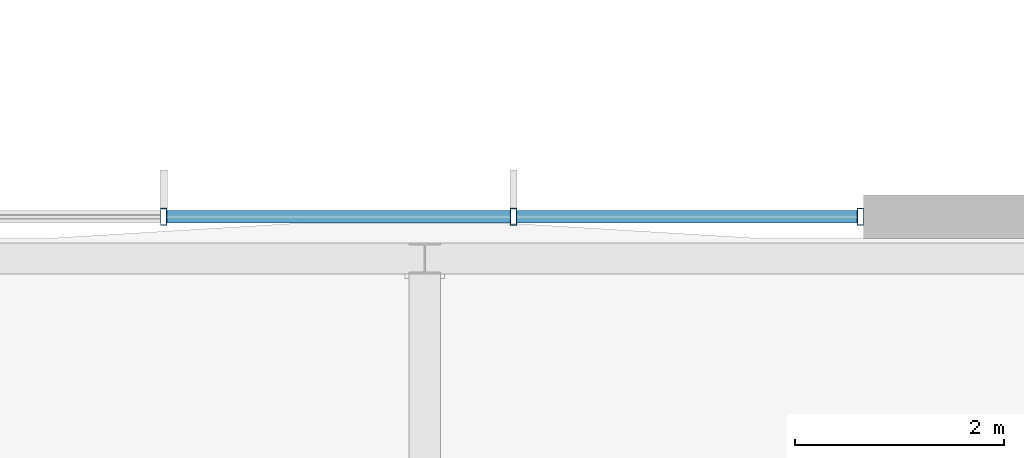
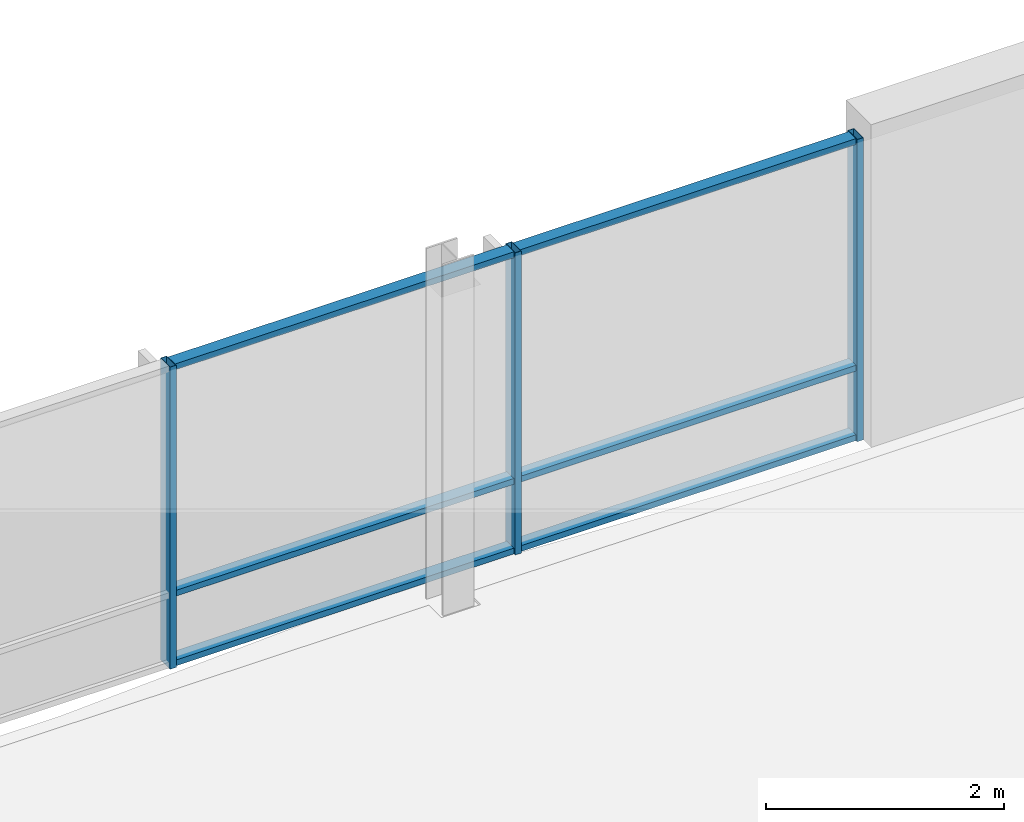
# One storey, part 39 of 189: 9 members, 1 element without a shape of its own.
"""IFC4 building model written with IfcOpenShell, lengths in metres."""

from ifc_helpers import new_model, si_unit, direction, frame, origin, origin_2d, place, context, subcontext, project, spatial, hollow_rectangle, extrude, material, material_profile, profile_set, type_object, element, aggregate, save


model = new_model("IFC4")

# Units and contexts
model_context = context("Model", 3, precision=1e-05, world=origin(), true_north=direction((0.0, 1.0)))
body_context = subcontext(model_context, "Body", "Model", "MODEL_VIEW")
ifc_project = project(units=[si_unit("LENGTHUNIT", "METRE"), si_unit("AREAUNIT", "SQUARE_METRE"), si_unit("VOLUMEUNIT", "CUBIC_METRE"), si_unit("PLANEANGLEUNIT", "RADIAN"), si_unit("MASSUNIT", "GRAM", prefix="KILO")], contexts=[model_context])

# Site, building, storey
site_placement = place(None, origin())
site = spatial("IfcSite", under=ifc_project, at=site_placement, CompositionType="ELEMENT")
building_placement = place(site_placement, origin())
building = spatial("IfcBuilding", under=site, at=building_placement, Name="Zavelmont Quarter", CompositionType="ELEMENT")
storey_placement = place(building_placement, frame((0.0, 0.0, 4.39990234375)))
storey = spatial("IfcBuildingStorey", under=building, at=storey_placement, Name="L01", CompositionType="ELEMENT", Elevation=4.39990234375)

# Curtain wall, members
ifc_material_1 = material(Name="Thermally broken aluminium and double low-E safety glazing", Category="aluminium")
curtain_wall_type = type_object("IfcCurtainWallType", Name="CW-1340X310", PredefinedType="NOTDEFINED", material=ifc_material_1)
curtain_wall_placement = place(storey_placement, origin())
curtain_wall = element("IfcCurtainWall", 1, at=curtain_wall_placement, inside=storey, type_object=curtain_wall_type, Name="L01 unitised curtain wall CW-1340X310", PredefinedType="NOTDEFINED")
ifc_material_2 = material(Name="Powder-coated aluminium EN AW-6063-T6", Category="aluminium")
ifc_material_profile_1 = material_profile(ifc_material_2, hollow_rectangle(XDim=0.06005859375, YDim=0.159912109375, WallThickness=0.00390625, at=origin_2d()), Name="CWM60X160")
ifc_profile_set_1 = profile_set([ifc_material_profile_1], Name="Powder-coated aluminium EN AW-6063-T6")
member_type_1 = type_object("IfcMemberType", Name="CWM01", PredefinedType="MULLION", material=ifc_profile_set_1)
member_1_placement = place(storey_placement, frame((63.300048828125, 14.39990234375, 0.0), z_axis=(0.0, 0.0, 1.0), x_axis=(1.0, 0.0, 0.0)))
member_1 = element("IfcMember", 2, at=member_1_placement, type_object=member_type_1, Name="CW-1340X310 mullion 3", PredefinedType="MULLION", context=body_context, shape_type="SweptSolid", body=[
    extrude(hollow_rectangle(XDim=0.06005859375, YDim=0.159912109375, WallThickness=0.00390625, at=origin_2d()), origin(), (0.0, 0.0, 1.0), 3.10009765625),
])
member_2_placement = place(storey_placement, frame((66.64990234375, 14.39990234375, 0.0), z_axis=(0.0, 0.0, 1.0), x_axis=(1.0, 0.0, 0.0)))
member_2 = element("IfcMember", 3, at=member_2_placement, type_object=member_type_1, Name="CW-1340X310 mullion 4", PredefinedType="MULLION", context=body_context, shape_type="SweptSolid", body=[
    extrude(hollow_rectangle(XDim=0.06005859375, YDim=0.159912109375, WallThickness=0.00390625, at=origin_2d()), origin(), (0.0, 0.0, 1.0), 3.10009765625),
])
member_3_placement = place(storey_placement, frame((69.969970703125, 14.39990234375, 0.0), z_axis=(0.0, 0.0, 1.0), x_axis=(1.0, 0.0, 0.0)))
member_3 = element("IfcMember", 4, at=member_3_placement, type_object=member_type_1, Name="CW-1340X310 mullion 5", PredefinedType="MULLION", context=body_context, shape_type="SweptSolid", body=[
    extrude(hollow_rectangle(XDim=0.06005859375, YDim=0.159912109375, WallThickness=0.00390625, at=origin_2d()), origin(), (0.0, 0.0, 1.0), 3.10009765625),
])
ifc_material_profile_2 = material_profile(ifc_material_2, hollow_rectangle(XDim=0.1201171875, YDim=0.06005859375, WallThickness=0.00390625, at=origin_2d()), Name="CWT60X120")
ifc_profile_set_2 = profile_set([ifc_material_profile_2], Name="Powder-coated aluminium EN AW-6063-T6")
member_type_2 = type_object("IfcMemberType", Name="CWT01", PredefinedType="NOTDEFINED", material=ifc_profile_set_2)
member_4_placement = place(storey_placement, frame((63.330078125, 14.39990234375, 0.030029296875), z_axis=(1.0, 0.0, 0.0), x_axis=(0.0, 1.0, 0.0)))
member_4 = element("IfcMember", 5, at=member_4_placement, type_object=member_type_2, Name="CW-1340X310 transom 3.1", ObjectType="TRANSOM", PredefinedType="USERDEFINED", context=body_context, shape_type="SweptSolid", body=[
    extrude(hollow_rectangle(XDim=0.1201171875, YDim=0.06005859375, WallThickness=0.00390625, at=origin_2d()), origin(), (0.0, 0.0, 1.0), 3.2900390625),
])
member_5_placement = place(storey_placement, frame((63.330078125, 14.39990234375, 0.744140625), z_axis=(1.0, 0.0, 0.0), x_axis=(0.0, 1.0, 0.0)))
member_5 = element("IfcMember", 6, at=member_5_placement, type_object=member_type_2, Name="CW-1340X310 transom 3.2", ObjectType="TRANSOM", PredefinedType="USERDEFINED", context=body_context, shape_type="SweptSolid", body=[
    extrude(hollow_rectangle(XDim=0.1201171875, YDim=0.06005859375, WallThickness=0.00390625, at=origin_2d()), origin(), (0.0, 0.0, 1.0), 3.2900390625),
])
member_6_placement = place(storey_placement, frame((63.330078125, 14.39990234375, 3.070068359375), z_axis=(1.0, 0.0, 0.0), x_axis=(0.0, 1.0, 0.0)))
member_6 = element("IfcMember", 7, at=member_6_placement, type_object=member_type_2, Name="CW-1340X310 transom 3.3", ObjectType="TRANSOM", PredefinedType="USERDEFINED", context=body_context, shape_type="SweptSolid", body=[
    extrude(hollow_rectangle(XDim=0.1201171875, YDim=0.06005859375, WallThickness=0.00390625, at=origin_2d()), origin(), (0.0, 0.0, 1.0), 3.2900390625),
])
member_7_placement = place(storey_placement, frame((66.679931640625, 14.39990234375, 0.030029296875), z_axis=(1.0, 0.0, 0.0), x_axis=(0.0, 1.0, 0.0)))
member_7 = element("IfcMember", 8, at=member_7_placement, type_object=member_type_2, Name="CW-1340X310 transom 4.1", ObjectType="TRANSOM", PredefinedType="USERDEFINED", context=body_context, shape_type="SweptSolid", body=[
    extrude(hollow_rectangle(XDim=0.1201171875, YDim=0.06005859375, WallThickness=0.00390625, at=origin_2d()), origin(), (0.0, 0.0, 1.0), 3.260009765625),
])
member_8_placement = place(storey_placement, frame((66.679931640625, 14.39990234375, 0.744140625), z_axis=(1.0, 0.0, 0.0), x_axis=(0.0, 1.0, 0.0)))
member_8 = element("IfcMember", 9, at=member_8_placement, type_object=member_type_2, Name="CW-1340X310 transom 4.2", ObjectType="TRANSOM", PredefinedType="USERDEFINED", context=body_context, shape_type="SweptSolid", body=[
    extrude(hollow_rectangle(XDim=0.1201171875, YDim=0.06005859375, WallThickness=0.00390625, at=origin_2d()), origin(), (0.0, 0.0, 1.0), 3.260009765625),
])
member_9_placement = place(storey_placement, frame((66.679931640625, 14.39990234375, 3.070068359375), z_axis=(1.0, 0.0, 0.0), x_axis=(0.0, 1.0, 0.0)))
member_9 = element("IfcMember", 10, at=member_9_placement, type_object=member_type_2, Name="CW-1340X310 transom 4.3", ObjectType="TRANSOM", PredefinedType="USERDEFINED", context=body_context, shape_type="SweptSolid", body=[
    extrude(hollow_rectangle(XDim=0.1201171875, YDim=0.06005859375, WallThickness=0.00390625, at=origin_2d()), origin(), (0.0, 0.0, 1.0), 3.260009765625),
])
aggregate(curtain_wall, [member_1, member_2, member_3, member_4, member_5, member_6, member_7, member_8, member_9])

save(model, "model.ifc")
